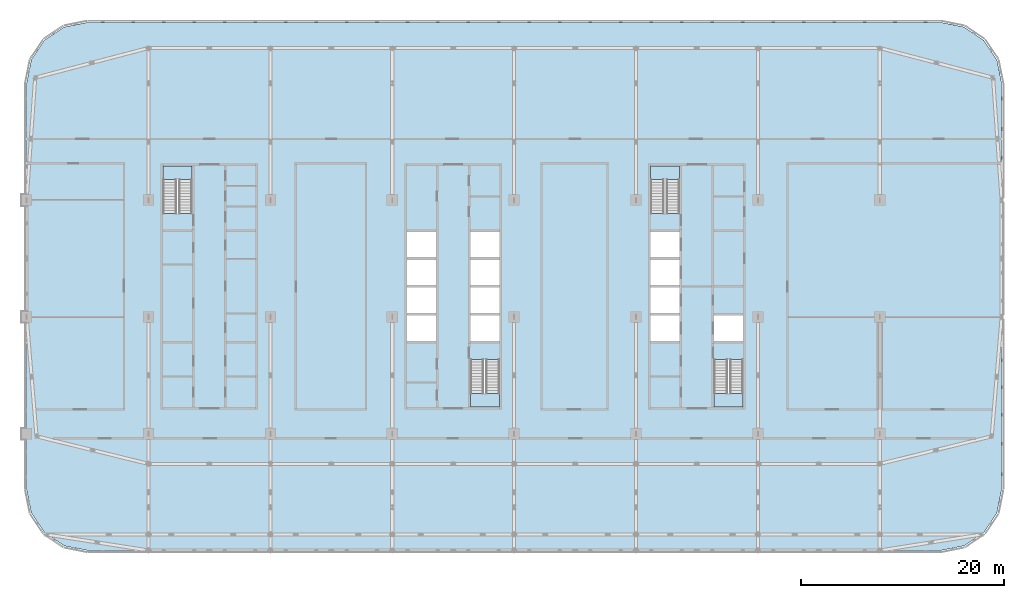
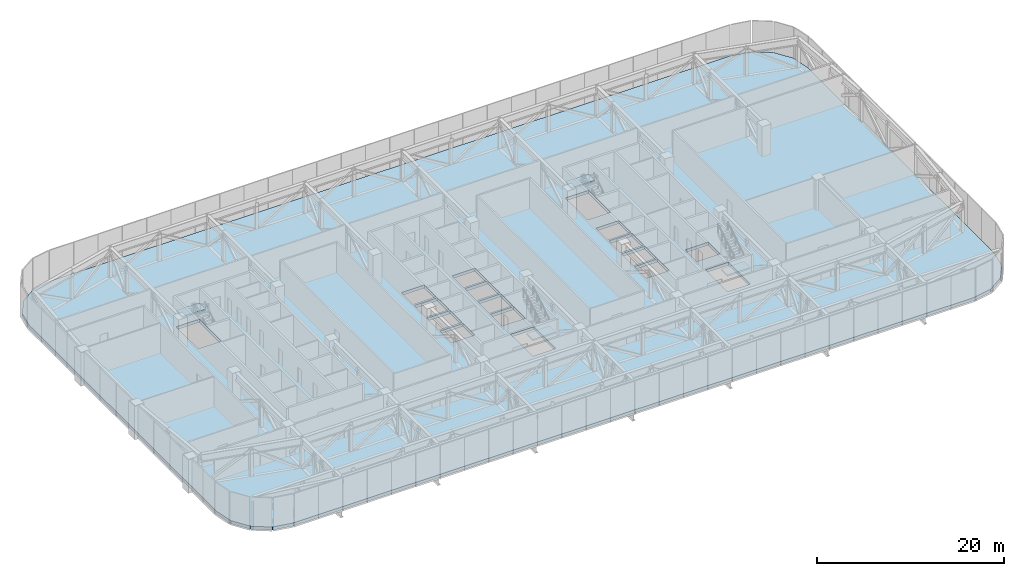
# One storey, part 12 of 28: 5 slabs, 4 elements without a shape of their own.
"""IFC4 building model written with IfcOpenShell, lengths in metres."""

from ifc_helpers import new_model, si_unit, direction, frame, origin, place, context, subcontext, project, spatial, polyline, outline, extrude, material, layer, layer_set, type_object, element, aggregate, save


model = new_model("IFC4")

# Units and contexts
model_context = context("Model", 3, precision=1e-05, world=origin(), true_north=direction((0.0, 1.0)))
body_context = subcontext(model_context, "Body", "Model", "MODEL_VIEW")
ifc_project = project(units=[si_unit("LENGTHUNIT", "METRE"), si_unit("AREAUNIT", "SQUARE_METRE"), si_unit("VOLUMEUNIT", "CUBIC_METRE"), si_unit("PLANEANGLEUNIT", "RADIAN"), si_unit("MASSUNIT", "GRAM", prefix="KILO")], contexts=[model_context])

# Site, building, storey
site_placement = place(None, origin())
site = spatial("IfcSite", under=ifc_project, at=site_placement, CompositionType="ELEMENT")
building_placement = place(site_placement, origin())
building = spatial("IfcBuilding", under=site, at=building_placement, Name="Mahtab Terrace Research Tower", CompositionType="ELEMENT")
storey_placement = place(building_placement, frame((0.0, 0.0, 224.300048828125)))
storey = spatial("IfcBuildingStorey", under=building, at=storey_placement, Name="L54", CompositionType="ELEMENT", Elevation=224.300048828125)

# Stair, slab
ifc_material_1 = material(Name="Exit stair half-turn")
stair_type = type_object("IfcStairType", Name="Exit stair half-turn", PredefinedType="HALF_TURN_STAIR", material=ifc_material_1)
stair_1_placement = place(storey_placement, origin())
stair_1 = element("IfcStair", 1, at=stair_1_placement, inside=storey, type_object=stair_type, Name="L54 Protected exit stair ST1", PredefinedType="HALF_TURN_STAIR")
ifc_material_2 = material(Name="Concrete C40/50", Category="concrete")
ifc_layer_1 = layer(ifc_material_2, 0.199951171875)
ifc_layer_set_1 = layer_set([ifc_layer_1], Name="Exit stair landing 200")
slab_type_1 = type_object("IfcSlabType", Name="Exit stair landing 200", PredefinedType="LANDING", material=ifc_layer_set_1)
slab_1_placement = place(storey_placement, frame((0.0, 0.0, 1.949951171875)))
slab_1 = element("IfcSlab", 2, at=slab_1_placement, type_object=slab_type_1, Name="ST1 landing 1", PredefinedType="LANDING", context=body_context, shape_type="SweptSolid", body=[
    extrude(outline(polyline([(-25.699951171875, 13.534912109375), (-25.699951171875, 14.875), (-28.550048828125, 14.875), (-28.550048828125, 13.534912109375), (-25.699951171875, 13.534912109375)])), origin(), (0.0, 0.0, 1.0), 0.199951171875),
])
aggregate(stair_1, [slab_1])

stair_2_placement = place(storey_placement, origin())
stair_2 = element("IfcStair", 3, at=stair_2_placement, inside=storey, type_object=stair_type, Name="L54 Protected exit stair ST2", PredefinedType="HALF_TURN_STAIR")
slab_2_placement = place(storey_placement, frame((0.0, 0.0, 1.949951171875)))
slab_2 = element("IfcSlab", 4, at=slab_2_placement, type_object=slab_type_1, Name="ST2 landing 1", PredefinedType="LANDING", context=body_context, shape_type="SweptSolid", body=[
    extrude(outline(polyline([(1.699951171875, -7.534912109375), (1.699951171875, -8.875), (4.550048828125, -8.875), (4.550048828125, -7.534912109375), (1.699951171875, -7.534912109375)])), origin(), (0.0, 0.0, 1.0), 0.199951171875),
])
aggregate(stair_2, [slab_2])

stair_3_placement = place(storey_placement, origin())
stair_3 = element("IfcStair", 5, at=stair_3_placement, inside=storey, type_object=stair_type, Name="L54 Protected exit stair ST3", PredefinedType="HALF_TURN_STAIR")
slab_3_placement = place(storey_placement, frame((0.0, 0.0, 1.949951171875)))
slab_3 = element("IfcSlab", 6, at=slab_3_placement, type_object=slab_type_1, Name="ST3 landing 1", PredefinedType="LANDING", context=body_context, shape_type="SweptSolid", body=[
    extrude(outline(polyline([(22.300048828125, 13.534912109375), (22.300048828125, 14.875), (19.449951171875, 14.875), (19.449951171875, 13.534912109375), (22.300048828125, 13.534912109375)])), origin(), (0.0, 0.0, 1.0), 0.199951171875),
])
aggregate(stair_3, [slab_3])

stair_4_placement = place(storey_placement, origin())
stair_4 = element("IfcStair", 7, at=stair_4_placement, inside=storey, type_object=stair_type, Name="L54 Protected exit stair ST4", PredefinedType="HALF_TURN_STAIR")
slab_4_placement = place(storey_placement, frame((0.0, 0.0, 1.949951171875)))
slab_4 = element("IfcSlab", 8, at=slab_4_placement, type_object=slab_type_1, Name="ST4 landing 1", PredefinedType="LANDING", context=body_context, shape_type="SweptSolid", body=[
    extrude(outline(polyline([(25.699951171875, -7.534912109375), (25.699951171875, -8.875), (28.550048828125, -8.875), (28.550048828125, -7.534912109375), (25.699951171875, -7.534912109375)])), origin(), (0.0, 0.0, 1.0), 0.199951171875),
])
aggregate(stair_4, [slab_4])

# Slab
ifc_layer_2 = layer(ifc_material_2, 0.39990234375)
ifc_layer_set_2 = layer_set([ifc_layer_2], Name="PT transfer slab 400")
slab_type_2 = type_object("IfcSlabType", Name="PT transfer slab 400", PredefinedType="FLOOR", material=ifc_layer_set_2)
slab_5_placement = place(storey_placement, frame((0.0, 0.0, -0.400146484375)))
element("IfcSlab", 9, at=slab_5_placement, inside=storey, type_object=slab_type_2, Name="Floor slab L54", PredefinedType="FLOOR", context=body_context, shape_type="SweptSolid", body=[
    extrude(outline(polyline([(54.0, 17.0), (54.0, 23.0), (53.54296875, 25.2958984375), (52.242919921875, 27.242919921875), (50.2958984375, 28.54296875), (48.0, 29.0), (-36.0, 29.0), (-38.2958984375, 28.54296875), (-40.242919921875, 27.242919921875), (-41.54296875, 25.2958984375), (-42.0, 23.0), (-42.0, 17.0), (-42.0, -11.0), (-42.0, -17.0), (-41.54296875, -19.2958984375), (-40.242919921875, -21.242919921875), (-38.2958984375, -22.54296875), (-36.0, -23.0), (48.0, -23.0), (50.2958984375, -22.54296875), (52.242919921875, -21.242919921875), (53.54296875, -19.2958984375), (54.0, -17.0), (54.0, -11.0), (54.0, 17.0)]), holes=[polyline([(-4.550048828125, -2.375), (-4.550048828125, 0.125), (-1.699951171875, 0.125), (-1.699951171875, -2.375), (-4.550048828125, -2.375)]), polyline([(1.699951171875, -2.375), (1.699951171875, 0.125), (4.550048828125, 0.125), (4.550048828125, -2.375), (1.699951171875, -2.375)]), polyline([(-4.550048828125, 0.375), (-4.550048828125, 2.875), (-1.699951171875, 2.875), (-1.699951171875, 0.375), (-4.550048828125, 0.375)]), polyline([(1.699951171875, 0.375), (1.699951171875, 2.875), (4.550048828125, 2.875), (4.550048828125, 0.375), (1.699951171875, 0.375)]), polyline([(-4.550048828125, 3.125), (-4.550048828125, 5.625), (-1.699951171875, 5.625), (-1.699951171875, 3.125), (-4.550048828125, 3.125)]), polyline([(1.699951171875, 3.125), (1.699951171875, 5.625), (4.550048828125, 5.625), (4.550048828125, 3.125), (1.699951171875, 3.125)]), polyline([(-4.550048828125, 5.875), (-4.550048828125, 8.375), (-1.699951171875, 8.375), (-1.699951171875, 5.875), (-4.550048828125, 5.875)]), polyline([(1.699951171875, 5.875), (1.699951171875, 8.375), (4.550048828125, 8.375), (4.550048828125, 5.875), (1.699951171875, 5.875)]), polyline([(-28.550048828125, 10.177001953125), (-28.550048828125, 14.875), (-25.699951171875, 14.875), (-25.699951171875, 10.177001953125), (-28.550048828125, 10.177001953125)]), polyline([(1.699951171875, -8.875), (1.699951171875, -4.177001953125), (4.550048828125, -4.177001953125), (4.550048828125, -8.875), (1.699951171875, -8.875)]), polyline([(25.699951171875, -8.875), (25.699951171875, -4.177001953125), (28.550048828125, -4.177001953125), (28.550048828125, -8.875), (25.699951171875, -8.875)]), polyline([(19.449951171875, -2.375), (19.449951171875, 0.125), (22.300048828125, 0.125), (22.300048828125, -2.375), (19.449951171875, -2.375)]), polyline([(25.699951171875, -2.375), (25.699951171875, 0.125), (28.550048828125, 0.125), (28.550048828125, -2.375), (25.699951171875, -2.375)]), polyline([(19.449951171875, 0.375), (19.449951171875, 2.875), (22.300048828125, 2.875), (22.300048828125, 0.375), (19.449951171875, 0.375)]), polyline([(19.449951171875, 3.125), (19.449951171875, 5.625), (22.300048828125, 5.625), (22.300048828125, 3.125), (19.449951171875, 3.125)]), polyline([(19.449951171875, 8.375), (22.300048828125, 8.375), (22.300048828125, 5.875), (19.449951171875, 5.875), (19.449951171875, 8.375)]), polyline([(19.449951171875, 14.875), (22.300048828125, 14.875), (22.300048828125, 10.177001953125), (19.449951171875, 10.177001953125), (19.449951171875, 14.875)])]), origin(), (0.0, 0.0, 1.0), 0.400146484375),
])

save(model, "model.ifc")
